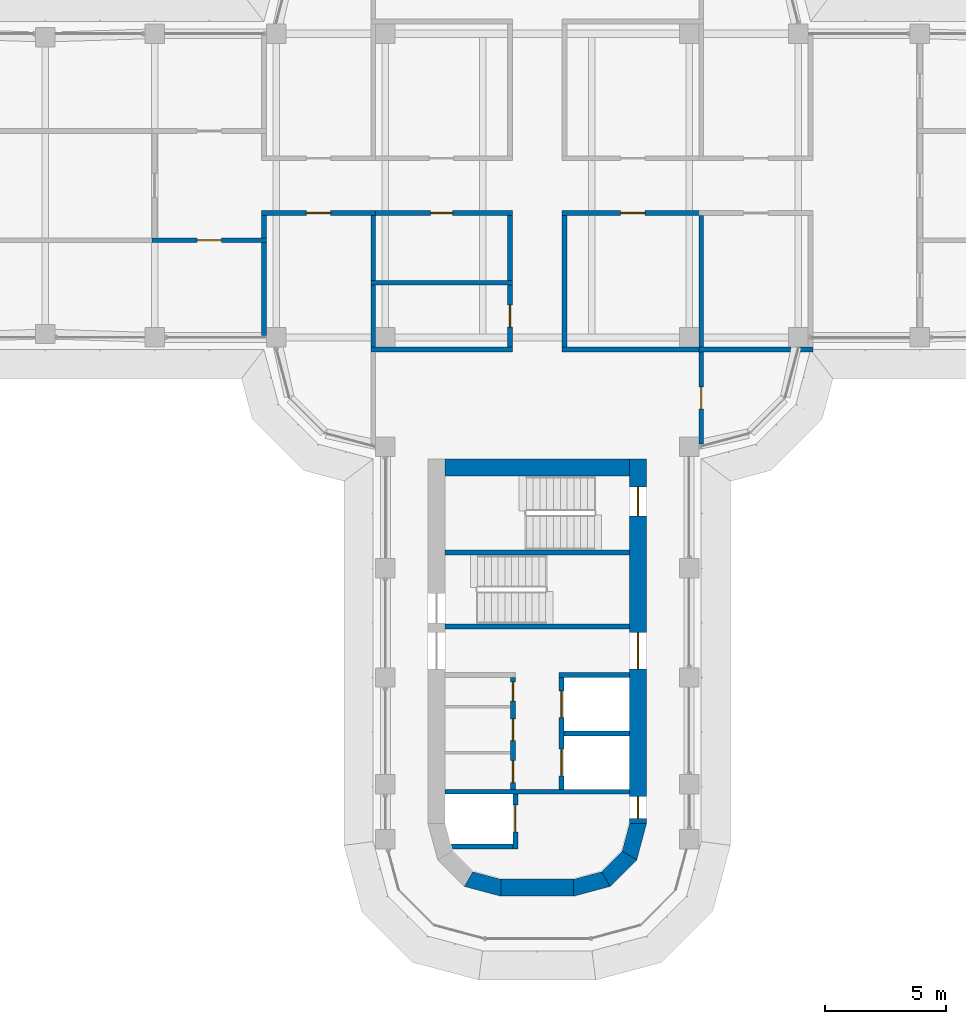
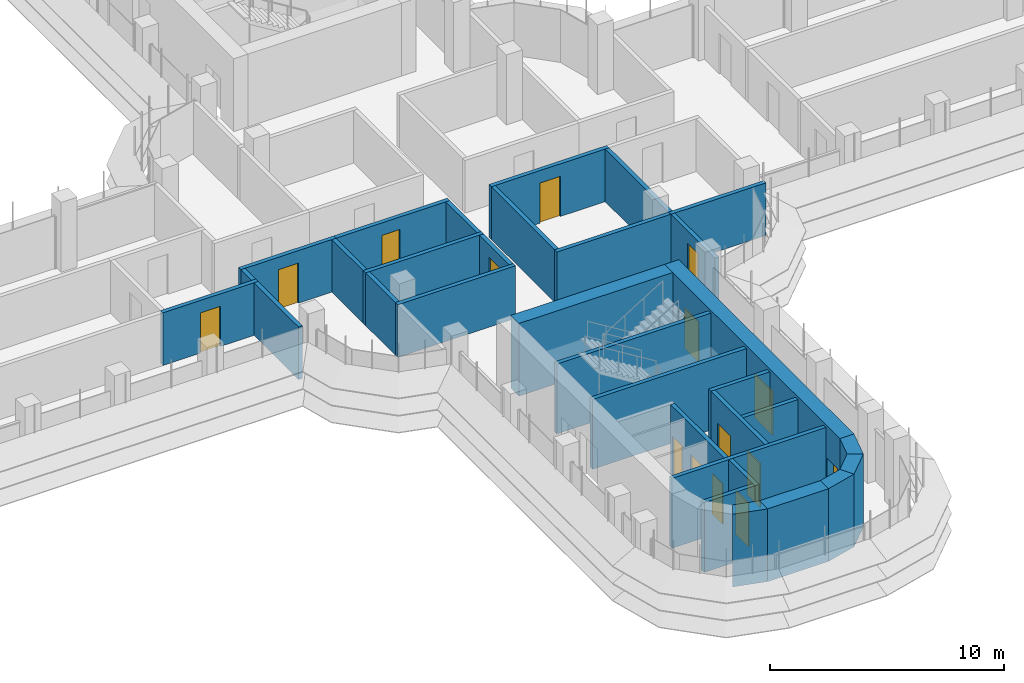
# One storey, part 13 of 19: 33 walls, 15 doors, 15 openings.
"""IFC4 building model written with IfcOpenShell, lengths in metres."""

from ifc_helpers import new_model, si_unit, direction, frame, frame_2d, origin, place, context, subcontext, project, spatial, polyline, rectangle, outline, extrude, material, layer, layer_set, type_object, element, fill, save


model = new_model("IFC4")

# Units and contexts
model_context = context("Model", 3, precision=1e-05, world=origin(), true_north=direction((0.0, 1.0)))
body_context = subcontext(model_context, "Body", "Model", "MODEL_VIEW")
ifc_project = project(units=[si_unit("LENGTHUNIT", "METRE"), si_unit("AREAUNIT", "SQUARE_METRE"), si_unit("VOLUMEUNIT", "CUBIC_METRE"), si_unit("PLANEANGLEUNIT", "RADIAN"), si_unit("MASSUNIT", "GRAM", prefix="KILO")], contexts=[model_context])

# Site, building, storey
site_placement = place(None, origin())
site = spatial("IfcSite", under=ifc_project, at=site_placement, CompositionType="ELEMENT")
building_placement = place(site_placement, origin())
building = spatial("IfcBuilding", under=site, at=building_placement, Name="Zarbagh Exchange Tower", CompositionType="ELEMENT")
storey_placement = place(building_placement, frame((0.0, 0.0, 175.199951171875)))
storey = spatial("IfcBuildingStorey", under=building, at=storey_placement, Name="L42", CompositionType="ELEMENT", Elevation=175.199951171875)

# Wall, opening, door
ifc_material_1 = material(Name="Fire-rated plasterboard partition")
ifc_layer_1 = layer(ifc_material_1, 0.199951171875)
ifc_layer_set_1 = layer_set([ifc_layer_1], Name="RATED PARTITION 200")
wall_type_1 = type_object("IfcWallType", Name="RATED PARTITION 200", PredefinedType="PARTITIONING", material=ifc_layer_set_1)
wall_1_placement = place(storey_placement, frame((6.85009765625, -1.125, 0.0), z_axis=(0.0, 0.0, 1.0), x_axis=(-1.0, 0.0, 0.0)))
wall_1 = element("IfcWall", 1, at=wall_1_placement, inside=storey, type_object=wall_type_1, Name="Partition W-1805", PredefinedType="PARTITIONING", context=body_context, shape_type="SweptSolid", body=[
    extrude(rectangle(XDim=5.8251953125, YDim=0.199951171875, at=frame_2d((2.91259765625, 0.0))), origin(), (0.0, 0.0, 1.0), 2.75),
])
opening_1_placement = place(wall_1_placement, frame((2.41259765625, 0.0, 0.0)))
opening_1 = element("IfcOpeningElement", 2, at=opening_1_placement, cuts=wall_1, Name="Opening D-1808", PredefinedType="OPENING", context=body_context, shape_type="SweptSolid", body=[
    extrude(rectangle(XDim=1.0, YDim=2.10009765625, at=frame_2d((0.5, 1.050048828125))), frame((0.0, 0.10986328125, 0.0), z_axis=(0.0, -1.0, 0.0), x_axis=(1.0, 0.0, 0.0)), (0.0, 0.0, 1.0), 0.219970703125),
])
ifc_material_2 = material(Name="Steel door set", Category="steel")
door_type_1 = type_object("IfcDoorType", Name="FIRE DOOR 1000 X 2100 FD30S", OperationType="NOTDEFINED", PredefinedType="DOOR", material=ifc_material_2)
door_1_placement = place(opening_1_placement, origin())
door_1 = element("IfcDoor", 3, at=door_1_placement, inside=storey, type_object=door_type_1, Name="Door D-1808", OperationType="SINGLE_SWING_RIGHT", OverallHeight=2.10009765625, OverallWidth=1.0, PredefinedType="DOOR", context=body_context, shape_type="SweptSolid", body=[
    extrude(rectangle(XDim=1.0, YDim=2.10009765625, at=frame_2d((0.5, 1.050048828125))), frame((0.0, 0.02490234375, 0.0), z_axis=(0.0, -1.0, 0.0), x_axis=(1.0, 0.0, 0.0)), (0.0, 0.0, 1.0), 0.050048828125),
])
fill(opening_1, door_1)

wall_2_placement = place(storey_placement, frame((-1.02490234375, -1.125, 0.0), z_axis=(0.0, 0.0, 1.0), x_axis=(-1.0, 0.0, 0.0)))
wall_2 = element("IfcWall", 4, at=wall_2_placement, inside=storey, type_object=wall_type_1, Name="Partition W-1807", PredefinedType="PARTITIONING", context=body_context, shape_type="SweptSolid", body=[
    extrude(rectangle(XDim=5.8251953125, YDim=0.199951171875, at=frame_2d((2.91259765625, 0.0))), origin(), (0.0, 0.0, 1.0), 2.75),
])
opening_2_placement = place(wall_2_placement, frame((2.46240234375, 0.0, 0.0)))
opening_2 = element("IfcOpeningElement", 5, at=opening_2_placement, cuts=wall_2, Name="Opening D-1811", PredefinedType="OPENING", context=body_context, shape_type="SweptSolid", body=[
    extrude(rectangle(XDim=0.89990234375, YDim=2.10009765625, at=frame_2d((0.449951171875, 1.050048828125))), frame((0.0, 0.10986328125, 0.0), z_axis=(0.0, -1.0, 0.0), x_axis=(1.0, 0.0, 0.0)), (0.0, 0.0, 1.0), 0.219970703125),
])
ifc_material_3 = material(Name="Timber door leaf", Category="wood")
door_type_2 = type_object("IfcDoorType", Name="DOOR 900 X 2100", OperationType="NOTDEFINED", PredefinedType="DOOR", material=ifc_material_3)
door_2_placement = place(opening_2_placement, origin())
door_2 = element("IfcDoor", 6, at=door_2_placement, inside=storey, type_object=door_type_2, Name="Door D-1811", OperationType="SINGLE_SWING_RIGHT", OverallHeight=2.10009765625, OverallWidth=0.89990234375, PredefinedType="DOOR", context=body_context, shape_type="SweptSolid", body=[
    extrude(rectangle(XDim=0.89990234375, YDim=2.10009765625, at=frame_2d((0.449951171875, 1.050048828125))), frame((0.0, 0.02490234375, 0.0), z_axis=(0.0, -1.0, 0.0), x_axis=(1.0, 0.0, 0.0)), (0.0, 0.0, 1.0), 0.050048828125),
])
fill(opening_2, door_2)

wall_3_placement = place(storey_placement, frame((-6.64990234375, -1.125, 0.0), z_axis=(0.0, 0.0, 1.0), x_axis=(-1.0, 0.0, 0.0)))
wall_3 = element("IfcWall", 7, at=wall_3_placement, inside=storey, type_object=wall_type_1, Name="Partition W-1808", PredefinedType="PARTITIONING", context=body_context, shape_type="SweptSolid", body=[
    extrude(rectangle(XDim=4.7001953125, YDim=0.199951171875, at=frame_2d((2.35009765625, 0.0))), origin(), (0.0, 0.0, 1.0), 2.75),
])
opening_3_placement = place(wall_3_placement, frame((1.85009765625, 0.0, 0.0)))
opening_3 = element("IfcOpeningElement", 8, at=opening_3_placement, cuts=wall_3, Name="Opening D-1813", PredefinedType="OPENING", context=body_context, shape_type="SweptSolid", body=[
    extrude(rectangle(XDim=1.0, YDim=2.10009765625, at=frame_2d((0.5, 1.050048828125))), frame((0.0, 0.10986328125, 0.0), z_axis=(0.0, -1.0, 0.0), x_axis=(1.0, 0.0, 0.0)), (0.0, 0.0, 1.0), 0.219970703125),
])
door_3_placement = place(opening_3_placement, origin())
door_3 = element("IfcDoor", 9, at=door_3_placement, inside=storey, type_object=door_type_1, Name="Door D-1813", OperationType="SINGLE_SWING_RIGHT", OverallHeight=2.10009765625, OverallWidth=1.0, PredefinedType="DOOR", context=body_context, shape_type="SweptSolid", body=[
    extrude(rectangle(XDim=1.0, YDim=2.10009765625, at=frame_2d((0.5, 1.050048828125))), frame((0.0, 0.02490234375, 0.0), z_axis=(0.0, -1.0, 0.0), x_axis=(1.0, 0.0, 0.0)), (0.0, 0.0, 1.0), 0.050048828125),
])
fill(opening_3, door_3)

# Walls
wall_4_placement = place(storey_placement, frame((1.125, -6.64990234375, 0.0), z_axis=(0.0, 0.0, 1.0), x_axis=(0.0, 1.0, 0.0)))
element("IfcWall", 10, at=wall_4_placement, inside=storey, type_object=wall_type_1, Name="Partition W-1811", PredefinedType="PARTITIONING", context=body_context, shape_type="SweptSolid", body=[
    extrude(rectangle(XDim=5.4248046875, YDim=0.199951171875, at=frame_2d((2.71240234375, 0.0))), origin(), (0.0, 0.0, 1.0), 2.75),
])
wall_5_placement = place(storey_placement, frame((-1.125, -3.89990234375, 0.0), z_axis=(0.0, 0.0, 1.0), x_axis=(0.0, 1.0, 0.0)))
element("IfcWall", 11, at=wall_5_placement, inside=storey, type_object=wall_type_1, Name="Partition W-1812", PredefinedType="PARTITIONING", context=body_context, shape_type="SweptSolid", body=[
    extrude(rectangle(XDim=2.6748046875, YDim=0.199951171875, at=frame_2d((1.33740234375, 0.0))), origin(), (0.0, 0.0, 1.0), 2.75),
])

# Wall, opening, door
wall_6_placement = place(storey_placement, frame((-1.125, -6.64990234375, 0.0), z_axis=(0.0, 0.0, 1.0), x_axis=(0.0, 1.0, 0.0)))
wall_6 = element("IfcWall", 12, at=wall_6_placement, inside=storey, type_object=wall_type_1, Name="Partition W-1813", PredefinedType="PARTITIONING", context=body_context, shape_type="SweptSolid", body=[
    extrude(rectangle(XDim=2.5498046875, YDim=0.199951171875, at=frame_2d((1.27490234375, 0.0))), origin(), (0.0, 0.0, 1.0), 2.75),
])
opening_4_placement = place(wall_6_placement, frame((0.824951171875, 0.0, 0.0)))
opening_4 = element("IfcOpeningElement", 13, at=opening_4_placement, cuts=wall_6, Name="Opening D-1812", PredefinedType="OPENING", context=body_context, shape_type="SweptSolid", body=[
    extrude(rectangle(XDim=0.89990234375, YDim=2.10009765625, at=frame_2d((0.449951171875, 1.050048828125))), frame((0.0, 0.10986328125, 0.0), z_axis=(0.0, -1.0, 0.0), x_axis=(1.0, 0.0, 0.0)), (0.0, 0.0, 1.0), 0.219970703125),
])
door_4_placement = place(opening_4_placement, origin())
door_4 = element("IfcDoor", 14, at=door_4_placement, inside=storey, type_object=door_type_2, Name="Door D-1812", OperationType="SINGLE_SWING_RIGHT", OverallHeight=2.10009765625, OverallWidth=0.89990234375, PredefinedType="DOOR", context=body_context, shape_type="SweptSolid", body=[
    extrude(rectangle(XDim=0.89990234375, YDim=2.10009765625, at=frame_2d((0.449951171875, 1.050048828125))), frame((0.0, 0.02490234375, 0.0), z_axis=(0.0, -1.0, 0.0), x_axis=(1.0, 0.0, 0.0)), (0.0, 0.0, 1.0), 0.050048828125),
])
fill(opening_4, door_4)

# Wall
wall_7_placement = place(storey_placement, frame((1.02490234375, -6.75, 0.0), z_axis=(0.0, 0.0, 1.0), x_axis=(1.0, 0.0, 0.0)))
element("IfcWall", 15, at=wall_7_placement, inside=storey, type_object=wall_type_1, Name="Partition W-1818", PredefinedType="PARTITIONING", context=body_context, shape_type="SweptSolid", body=[
    extrude(rectangle(XDim=5.8251953125, YDim=0.199951171875, at=frame_2d((2.91259765625, 0.0))), origin(), (0.0, 0.0, 1.0), 2.75),
])

# Wall, opening, door
wall_8_placement = place(storey_placement, frame((6.75, -6.85009765625, 0.0), z_axis=(0.0, 0.0, 1.0), x_axis=(0.0, -1.0, 0.0)))
wall_8 = element("IfcWall", 16, at=wall_8_placement, inside=storey, type_object=wall_type_1, Name="Partition W-1819", PredefinedType="PARTITIONING", context=body_context, shape_type="SweptSolid", body=[
    extrude(rectangle(XDim=3.77978515625, YDim=0.199951171875, at=frame_2d((1.889892578125, 0.0))), origin(), (0.0, 0.0, 1.0), 2.75),
])
opening_5_placement = place(wall_8_placement, frame((1.43994140625, 0.0, 0.0)))
opening_5 = element("IfcOpeningElement", 17, at=opening_5_placement, cuts=wall_8, Name="Opening D-1810", PredefinedType="OPENING", context=body_context, shape_type="SweptSolid", body=[
    extrude(rectangle(XDim=0.89990234375, YDim=2.10009765625, at=frame_2d((0.449951171875, 1.050048828125))), frame((0.0, 0.10986328125, 0.0), z_axis=(0.0, -1.0, 0.0), x_axis=(1.0, 0.0, 0.0)), (0.0, 0.0, 1.0), 0.219970703125),
])
door_5_placement = place(opening_5_placement, origin())
door_5 = element("IfcDoor", 18, at=door_5_placement, inside=storey, type_object=door_type_2, Name="Door D-1810", OperationType="SINGLE_SWING_LEFT", OverallHeight=2.10009765625, OverallWidth=0.89990234375, PredefinedType="DOOR", context=body_context, shape_type="SweptSolid", body=[
    extrude(rectangle(XDim=0.89990234375, YDim=2.10009765625, at=frame_2d((0.449951171875, 1.050048828125))), frame((0.0, 0.02490234375, 0.0), z_axis=(0.0, -1.0, 0.0), x_axis=(1.0, 0.0, 0.0)), (0.0, 0.0, 1.0), 0.050048828125),
])
fill(opening_5, door_5)

# Walls
wall_9_placement = place(storey_placement, frame((-6.85009765625, -6.75, 0.0), z_axis=(0.0, 0.0, 1.0), x_axis=(1.0, 0.0, 0.0)))
element("IfcWall", 19, at=wall_9_placement, inside=storey, type_object=wall_type_1, Name="Partition W-1820", PredefinedType="PARTITIONING", context=body_context, shape_type="SweptSolid", body=[
    extrude(rectangle(XDim=5.8251953125, YDim=0.199951171875, at=frame_2d((2.91259765625, 0.0))), origin(), (0.0, 0.0, 1.0), 2.75),
])
wall_10_placement = place(storey_placement, frame((6.75, -6.64990234375, 0.0), z_axis=(0.0, 0.0, 1.0), x_axis=(0.0, 1.0, 0.0)))
element("IfcWall", 20, at=wall_10_placement, inside=storey, type_object=wall_type_1, Name="Partition W-1827", PredefinedType="PARTITIONING", context=body_context, shape_type="SweptSolid", body=[
    extrude(rectangle(XDim=5.4248046875, YDim=0.199951171875, at=frame_2d((2.71240234375, 0.0))), origin(), (0.0, 0.0, 1.0), 2.75),
])
wall_11_placement = place(storey_placement, frame((6.64990234375, -6.75, 0.0), z_axis=(0.0, 0.0, 1.0), x_axis=(1.0, 0.0, 0.0)))
element("IfcWall", 21, at=wall_11_placement, inside=storey, type_object=wall_type_1, Name="Partition W-1828", PredefinedType="PARTITIONING", context=body_context, shape_type="SweptSolid", body=[
    extrude(rectangle(XDim=4.7001953125, YDim=0.199951171875, at=frame_2d((2.35009765625, 0.0))), origin(), (0.0, 0.0, 1.0), 2.75),
])
wall_12_placement = place(storey_placement, frame((-6.85009765625, -4.0, 0.0), z_axis=(0.0, 0.0, 1.0), x_axis=(1.0, 0.0, 0.0)))
element("IfcWall", 22, at=wall_12_placement, inside=storey, type_object=wall_type_1, Name="Partition W-1830", PredefinedType="PARTITIONING", context=body_context, shape_type="SweptSolid", body=[
    extrude(rectangle(XDim=5.8251953125, YDim=0.199951171875, at=frame_2d((2.91259765625, 0.0))), origin(), (0.0, 0.0, 1.0), 2.75),
])
wall_13_placement = place(storey_placement, frame((-6.75, -3.89990234375, 0.0), z_axis=(0.0, 0.0, 1.0), x_axis=(0.0, 1.0, 0.0)))
element("IfcWall", 23, at=wall_13_placement, inside=storey, type_object=wall_type_1, Name="Partition W-1831", PredefinedType="PARTITIONING", context=body_context, shape_type="SweptSolid", body=[
    extrude(rectangle(XDim=2.6748046875, YDim=0.199951171875, at=frame_2d((1.33740234375, 0.0))), origin(), (0.0, 0.0, 1.0), 2.75),
])
wall_14_placement = place(storey_placement, frame((-6.75, -6.64990234375, 0.0), z_axis=(0.0, 0.0, 1.0), x_axis=(0.0, 1.0, 0.0)))
element("IfcWall", 24, at=wall_14_placement, inside=storey, type_object=wall_type_1, Name="Partition W-1832", PredefinedType="PARTITIONING", context=body_context, shape_type="SweptSolid", body=[
    extrude(rectangle(XDim=2.5498046875, YDim=0.199951171875, at=frame_2d((1.27490234375, 0.0))), origin(), (0.0, 0.0, 1.0), 2.75),
])
wall_15_placement = place(storey_placement, frame((-11.25, -2.14990234375, 0.0), z_axis=(0.0, 0.0, 1.0), x_axis=(0.0, 1.0, 0.0)))
element("IfcWall", 25, at=wall_15_placement, inside=storey, type_object=wall_type_1, Name="Partition W-1833", PredefinedType="PARTITIONING", context=body_context, shape_type="SweptSolid", body=[
    extrude(rectangle(XDim=0.9248046875, YDim=0.199951171875, at=frame_2d((0.46240234375, 0.0))), origin(), (0.0, 0.0, 1.0), 2.75),
])
wall_16_placement = place(storey_placement, frame((-11.25, -6.169921875, 0.0), z_axis=(0.0, 0.0, 1.0), x_axis=(0.0, 1.0, 0.0)))
element("IfcWall", 26, at=wall_16_placement, inside=storey, type_object=wall_type_1, Name="Partition W-1834", PredefinedType="PARTITIONING", context=body_context, shape_type="SweptSolid", body=[
    extrude(rectangle(XDim=3.81982421875, YDim=0.199951171875, at=frame_2d((1.909912109375, 0.0))), origin(), (0.0, 0.0, 1.0), 2.75),
])

# Wall, opening, door
wall_17_placement = place(storey_placement, frame((-11.14990234375, -2.25, 0.0), z_axis=(0.0, 0.0, 1.0), x_axis=(-1.0, 0.0, 0.0)))
wall_17 = element("IfcWall", 27, at=wall_17_placement, inside=storey, type_object=wall_type_1, Name="Partition W-1843", PredefinedType="PARTITIONING", context=body_context, shape_type="SweptSolid", body=[
    extrude(rectangle(XDim=4.7001953125, YDim=0.199951171875, at=frame_2d((2.35009765625, 0.0))), origin(), (0.0, 0.0, 1.0), 2.75),
])
opening_6_placement = place(wall_17_placement, frame((1.85009765625, 0.0, 0.0)))
opening_6 = element("IfcOpeningElement", 28, at=opening_6_placement, cuts=wall_17, Name="Opening D-1816", PredefinedType="OPENING", context=body_context, shape_type="SweptSolid", body=[
    extrude(rectangle(XDim=1.0, YDim=2.10009765625, at=frame_2d((0.5, 1.050048828125))), frame((0.0, 0.10986328125, 0.0), z_axis=(0.0, -1.0, 0.0), x_axis=(1.0, 0.0, 0.0)), (0.0, 0.0, 1.0), 0.219970703125),
])
door_6_placement = place(opening_6_placement, origin())
door_6 = element("IfcDoor", 29, at=door_6_placement, inside=storey, type_object=door_type_1, Name="Door D-1816", OperationType="SINGLE_SWING_RIGHT", OverallHeight=2.10009765625, OverallWidth=1.0, PredefinedType="DOOR", context=body_context, shape_type="SweptSolid", body=[
    extrude(rectangle(XDim=1.0, YDim=2.10009765625, at=frame_2d((0.5, 1.050048828125))), frame((0.0, 0.02490234375, 0.0), z_axis=(0.0, -1.0, 0.0), x_axis=(1.0, 0.0, 0.0)), (0.0, 0.0, 1.0), 0.050048828125),
])
fill(opening_6, door_6)

# Walls
ifc_material_4 = material(Name="Concrete C50/60", Category="concrete")
ifc_layer_2 = layer(ifc_material_4, 0.699951171875)
ifc_layer_set_2 = layer_set([ifc_layer_2], Name="RC core corner wall 700 C50/60")
wall_type_2 = type_object("IfcWallType", Name="RC core corner wall 700 C50/60", PredefinedType="SHEAR", material=ifc_layer_set_2)
wall_18_placement = place(storey_placement, origin())
element("IfcWall", 30, at=wall_18_placement, inside=storey, type_object=wall_type_2, Name="CW6 core S corner W", PredefinedType="SHEAR", context=body_context, shape_type="SweptSolid", body=[
    extrude(outline(polyline([(-3.0, -28.84814453125), (-1.5, -29.25), (-1.5, -28.550048828125), (-2.64990234375, -28.241943359375), (-3.0, -28.84814453125)])), origin(), (0.0, 0.0, 1.0), 3.800048828125),
])
wall_19_placement = place(storey_placement, origin())
element("IfcWall", 31, at=wall_19_placement, inside=storey, type_object=wall_type_2, Name="CW6 core S corner E", PredefinedType="SHEAR", context=body_context, shape_type="SweptSolid", body=[
    extrude(outline(polyline([(4.5, -26.25), (4.09814453125, -27.75), (3.491943359375, -27.39990234375), (3.800048828125, -26.25), (4.5, -26.25)])), origin(), (0.0, 0.0, 1.0), 3.800048828125),
])
wall_20_placement = place(storey_placement, origin())
element("IfcWall", 32, at=wall_20_placement, inside=storey, type_object=wall_type_2, Name="CW6 core S corner E", PredefinedType="SHEAR", context=body_context, shape_type="SweptSolid", body=[
    extrude(outline(polyline([(4.09814453125, -27.75), (3.0, -28.84814453125), (2.64990234375, -28.241943359375), (3.491943359375, -27.39990234375), (4.09814453125, -27.75)])), origin(), (0.0, 0.0, 1.0), 3.800048828125),
])
wall_21_placement = place(storey_placement, origin())
element("IfcWall", 33, at=wall_21_placement, inside=storey, type_object=wall_type_2, Name="CW6 core S corner E", PredefinedType="SHEAR", context=body_context, shape_type="SweptSolid", body=[
    extrude(outline(polyline([(3.0, -28.84814453125), (1.5, -29.25), (1.5, -28.550048828125), (2.64990234375, -28.241943359375), (3.0, -28.84814453125)])), origin(), (0.0, 0.0, 1.0), 3.800048828125),
])

# Wall, openings, doors
ifc_layer_3 = layer(ifc_material_4, 0.699951171875)
ifc_layer_set_3 = layer_set([ifc_layer_3], Name="RC core wall 700 C50/60")
wall_type_3 = type_object("IfcWallType", Name="RC core wall 700 C50/60", PredefinedType="SHEAR", material=ifc_layer_set_3)
wall_22_placement = place(storey_placement, frame((4.14990234375, -11.25, 0.0), z_axis=(0.0, 0.0, 1.0), x_axis=(0.0, -1.0, 0.0)))
wall_22 = element("IfcWall", 34, at=wall_22_placement, inside=storey, type_object=wall_type_3, Name="CW5 core S E", PredefinedType="SHEAR", context=body_context, shape_type="SweptSolid", body=[
    extrude(rectangle(XDim=15.0, YDim=0.699951171875, at=frame_2d((7.5, 0.0))), origin(), (0.0, 0.0, 1.0), 3.800048828125),
])
opening_7_placement = place(wall_22_placement, frame((7.14990234375, 0.0, 0.0)))
opening_7 = element("IfcOpeningElement", 35, at=opening_7_placement, cuts=wall_22, Name="Opening CD1-1500", PredefinedType="OPENING", context=body_context, shape_type="SweptSolid", body=[
    extrude(rectangle(XDim=1.5, YDim=2.300048828125, at=frame_2d((0.75, 1.14990234375))), frame((0.0, 0.35986328125, 0.0), z_axis=(0.0, -1.0, 0.0), x_axis=(1.0, 0.0, 0.0)), (0.0, 0.0, 1.0), 0.719970703125),
])
opening_8_placement = place(wall_22_placement, frame((13.89990234375, 0.0, 0.0)))
opening_8 = element("IfcOpeningElement", 36, at=opening_8_placement, cuts=wall_22, Name="Opening CD2-900", PredefinedType="OPENING", context=body_context, shape_type="SweptSolid", body=[
    extrude(rectangle(XDim=0.89990234375, YDim=2.10009765625, at=frame_2d((0.449951171875, 1.050048828125))), frame((0.0, 0.35986328125, 0.0), z_axis=(0.0, -1.0, 0.0), x_axis=(1.0, 0.0, 0.0)), (0.0, 0.0, 1.0), 0.719970703125),
])
opening_9_placement = place(wall_22_placement, frame((1.14990234375, 0.0, 0.0)))
opening_9 = element("IfcOpeningElement", 37, at=opening_9_placement, cuts=wall_22, Name="Opening SD1-1200", PredefinedType="OPENING", context=body_context, shape_type="SweptSolid", body=[
    extrude(rectangle(XDim=1.199951171875, YDim=2.10009765625, at=frame_2d((0.60009765625, 1.050048828125))), frame((0.0, 0.35986328125, 0.0), z_axis=(0.0, -1.0, 0.0), x_axis=(1.0, 0.0, 0.0)), (0.0, 0.0, 1.0), 0.719970703125),
])
ifc_material_5 = material(Name="Steel", Category="steel")
door_type_3 = type_object("IfcDoorType", Name="Exit stair door 1200 x 2100", OperationType="NOTDEFINED", PredefinedType="DOOR", material=ifc_material_5)
door_7_placement = place(opening_9_placement, origin())
door_7 = element("IfcDoor", 38, at=door_7_placement, inside=storey, type_object=door_type_3, Name="South core stair door ST2", OperationType="SINGLE_SWING_RIGHT", OverallHeight=2.10009765625, OverallWidth=1.199951171875, PredefinedType="DOOR", context=body_context, shape_type="SweptSolid", body=[
    extrude(rectangle(XDim=1.199951171875, YDim=2.10009765625, at=frame_2d((0.60009765625, 1.050048828125))), frame((0.0, 0.02490234375, 0.0), z_axis=(0.0, -1.0, 0.0), x_axis=(1.0, 0.0, 0.0)), (0.0, 0.0, 1.0), 0.050048828125),
])
fill(opening_9, door_7)
door_type_4 = type_object("IfcDoorType", Name="Firefighting lobby door 900 x 2100", OperationType="NOTDEFINED", PredefinedType="DOOR", material=ifc_material_5)
door_8_placement = place(opening_8_placement, origin())
door_8 = element("IfcDoor", 39, at=door_8_placement, inside=storey, type_object=door_type_4, Name="South core firefighting lobby door FF-W", OperationType="SINGLE_SWING_LEFT", OverallHeight=2.10009765625, OverallWidth=0.89990234375, PredefinedType="DOOR", context=body_context, shape_type="SweptSolid", body=[
    extrude(rectangle(XDim=0.89990234375, YDim=2.10009765625, at=frame_2d((0.449951171875, 1.050048828125))), frame((0.0, 0.02490234375, 0.0), z_axis=(0.0, -1.0, 0.0), x_axis=(1.0, 0.0, 0.0)), (0.0, 0.0, 1.0), 0.050048828125),
])
fill(opening_8, door_8)
door_type_5 = type_object("IfcDoorType", Name="Lift lobby double door 1500 x 2300", OperationType="NOTDEFINED", PredefinedType="DOOR", material=ifc_material_5)
door_9_placement = place(opening_7_placement, origin())
door_9 = element("IfcDoor", 40, at=door_9_placement, inside=storey, type_object=door_type_5, Name="South core lift lobby door LOBBY-W", OperationType="DOUBLE_DOOR_SINGLE_SWING", OverallHeight=2.300048828125, OverallWidth=1.5, PredefinedType="DOOR", context=body_context, shape_type="SweptSolid", body=[
    extrude(rectangle(XDim=1.5, YDim=2.300048828125, at=frame_2d((0.75, 1.14990234375))), frame((0.0, 0.02490234375, 0.0), z_axis=(0.0, -1.0, 0.0), x_axis=(1.0, 0.0, 0.0)), (0.0, 0.0, 1.0), 0.050048828125),
])
fill(opening_7, door_9)

# Walls
wall_23_placement = place(storey_placement, frame((-3.800048828125, -11.60009765625, 0.0), z_axis=(0.0, 0.0, 1.0), x_axis=(1.0, 0.0, 0.0)))
element("IfcWall", 41, at=wall_23_placement, inside=storey, type_object=wall_type_3, Name="CW5 core S inner end", PredefinedType="SHEAR", context=body_context, shape_type="SweptSolid", body=[
    extrude(rectangle(XDim=7.60009765625, YDim=0.699951171875, at=frame_2d((3.800048828125, 0.0))), origin(), (0.0, 0.0, 1.0), 3.800048828125),
])
wall_24_placement = place(storey_placement, frame((-1.5, -28.89990234375, 0.0), z_axis=(0.0, 0.0, 1.0), x_axis=(1.0, 0.0, 0.0)))
element("IfcWall", 42, at=wall_24_placement, inside=storey, type_object=wall_type_3, Name="CW5 core S outer end", PredefinedType="SHEAR", context=body_context, shape_type="SweptSolid", body=[
    extrude(rectangle(XDim=3.0, YDim=0.699951171875, at=frame_2d((1.5, 0.0))), origin(), (0.0, 0.0, 1.0), 3.800048828125),
])
ifc_material_6 = material(Name="Dense blockwork", Category="masonry")
ifc_layer_4 = layer(ifc_material_6, 0.199951171875)
ifc_layer_set_4 = layer_set([ifc_layer_4], Name="Shaft wall 200 mm blockwork")
wall_type_4 = type_object("IfcWallType", Name="Shaft wall 200 mm blockwork", PredefinedType="PARTITIONING", material=ifc_layer_set_4)
wall_25_placement = place(storey_placement, frame((3.800048828125, -20.14990234375, 0.0), z_axis=(0.0, 0.0, 1.0), x_axis=(-1.0, 0.0, 0.0)))
element("IfcWall", 43, at=wall_25_placement, inside=storey, type_object=wall_type_4, Name="South core shaft wall AB-W", PredefinedType="PARTITIONING", context=body_context, shape_type="SweptSolid", body=[
    extrude(rectangle(XDim=2.900146484375, YDim=0.199951171875, at=frame_2d((1.4501953125, 0.0))), origin(), (0.0, 0.0, 1.0), 3.650146484375),
])

# Wall, openings, doors
wall_26_placement = place(storey_placement, frame((1.0, -24.85009765625, 0.0), z_axis=(0.0, 0.0, 1.0), x_axis=(0.0, 1.0, 0.0)))
wall_26 = element("IfcWall", 44, at=wall_26_placement, inside=storey, type_object=wall_type_4, Name="South core shaft wall LW-W", PredefinedType="PARTITIONING", context=body_context, shape_type="SweptSolid", body=[
    extrude(rectangle(XDim=4.60009765625, YDim=0.199951171875, at=frame_2d((2.300048828125, 0.0))), origin(), (0.0, 0.0, 1.0), 3.650146484375),
])
opening_10_placement = place(wall_26_placement, frame((0.550048828125, 0.0, 0.0)))
opening_10 = element("IfcOpeningElement", 45, at=opening_10_placement, cuts=wall_26, Name="Opening LD-1100", PredefinedType="OPENING", context=body_context, shape_type="SweptSolid", body=[
    extrude(rectangle(XDim=1.10009765625, YDim=2.300048828125, at=frame_2d((0.550048828125, 1.14990234375))), frame((0.0, 0.10986328125, 0.0), z_axis=(0.0, -1.0, 0.0), x_axis=(1.0, 0.0, 0.0)), (0.0, 0.0, 1.0), 0.219970703125),
])
opening_11_placement = place(wall_26_placement, frame((2.949951171875, 0.0, 0.0)))
opening_11 = element("IfcOpeningElement", 46, at=opening_11_placement, cuts=wall_26, Name="Opening LD-1100", PredefinedType="OPENING", context=body_context, shape_type="SweptSolid", body=[
    extrude(rectangle(XDim=1.10009765625, YDim=2.300048828125, at=frame_2d((0.550048828125, 1.14990234375))), frame((0.0, 0.10986328125, 0.0), z_axis=(0.0, -1.0, 0.0), x_axis=(1.0, 0.0, 0.0)), (0.0, 0.0, 1.0), 0.219970703125),
])
ifc_material_7 = material(Name="Stainless steel", Category="steel")
door_type_6 = type_object("IfcDoorType", Name="Lift landing door 1100 x 2300", OperationType="NOTDEFINED", PredefinedType="DOOR", material=ifc_material_7)
door_10_placement = place(opening_10_placement, origin())
door_10 = element("IfcDoor", 47, at=door_10_placement, inside=storey, type_object=door_type_6, Name="South core lift landing door LD-P-S1", OperationType="DOUBLE_DOOR_SLIDING", OverallHeight=2.300048828125, OverallWidth=1.10009765625, PredefinedType="DOOR", context=body_context, shape_type="SweptSolid", body=[
    extrude(rectangle(XDim=1.10009765625, YDim=2.300048828125, at=frame_2d((0.550048828125, 1.14990234375))), frame((0.0, 0.02490234375, 0.0), z_axis=(0.0, -1.0, 0.0), x_axis=(1.0, 0.0, 0.0)), (0.0, 0.0, 1.0), 0.050048828125),
])
fill(opening_10, door_10)
door_11_placement = place(opening_11_placement, origin())
door_11 = element("IfcDoor", 48, at=door_11_placement, inside=storey, type_object=door_type_6, Name="South core lift landing door LD-P-S2", OperationType="DOUBLE_DOOR_SLIDING", OverallHeight=2.300048828125, OverallWidth=1.10009765625, PredefinedType="DOOR", context=body_context, shape_type="SweptSolid", body=[
    extrude(rectangle(XDim=1.10009765625, YDim=2.300048828125, at=frame_2d((0.550048828125, 1.14990234375))), frame((0.0, 0.02490234375, 0.0), z_axis=(0.0, -1.0, 0.0), x_axis=(1.0, 0.0, 0.0)), (0.0, 0.0, 1.0), 0.050048828125),
])
fill(opening_11, door_11)

wall_27_placement = place(storey_placement, frame((-1.0, -24.85009765625, 0.0), z_axis=(0.0, 0.0, 1.0), x_axis=(0.0, 1.0, 0.0)))
wall_27 = element("IfcWall", 49, at=wall_27_placement, inside=storey, type_object=wall_type_4, Name="South core shaft wall LW-E", PredefinedType="PARTITIONING", context=body_context, shape_type="SweptSolid", body=[
    extrude(rectangle(XDim=4.60009765625, YDim=0.199951171875, at=frame_2d((2.300048828125, 0.0))), origin(), (0.0, 0.0, 1.0), 3.650146484375),
])
opening_12_placement = place(wall_27_placement, frame((0.27490234375, 0.0, 0.0)))
opening_12 = element("IfcOpeningElement", 50, at=opening_12_placement, cuts=wall_27, Name="Opening CD3-900", PredefinedType="OPENING", context=body_context, shape_type="SweptSolid", body=[
    extrude(rectangle(XDim=0.89990234375, YDim=2.10009765625, at=frame_2d((0.449951171875, 1.050048828125))), frame((0.0, 0.10986328125, 0.0), z_axis=(0.0, -1.0, 0.0), x_axis=(1.0, 0.0, 0.0)), (0.0, 0.0, 1.0), 0.219970703125),
])
opening_13_placement = place(wall_27_placement, frame((2.0, 0.0, 0.0)))
opening_13 = element("IfcOpeningElement", 51, at=opening_13_placement, cuts=wall_27, Name="Opening CD3-900", PredefinedType="OPENING", context=body_context, shape_type="SweptSolid", body=[
    extrude(rectangle(XDim=0.89990234375, YDim=2.10009765625, at=frame_2d((0.449951171875, 1.050048828125))), frame((0.0, 0.10986328125, 0.0), z_axis=(0.0, -1.0, 0.0), x_axis=(1.0, 0.0, 0.0)), (0.0, 0.0, 1.0), 0.219970703125),
])
opening_14_placement = place(wall_27_placement, frame((3.625, 0.0, 0.0)))
opening_14 = element("IfcOpeningElement", 52, at=opening_14_placement, cuts=wall_27, Name="Opening CD3-800", PredefinedType="OPENING", context=body_context, shape_type="SweptSolid", body=[
    extrude(rectangle(XDim=0.800048828125, YDim=2.10009765625, at=frame_2d((0.39990234375, 1.050048828125))), frame((0.0, 0.10986328125, 0.0), z_axis=(0.0, -1.0, 0.0), x_axis=(1.0, 0.0, 0.0)), (0.0, 0.0, 1.0), 0.219970703125),
])
door_type_7 = type_object("IfcDoorType", Name="Core room door 800 x 2100", OperationType="NOTDEFINED", PredefinedType="DOOR", material=ifc_material_5)
door_12_placement = place(opening_14_placement, origin())
door_12 = element("IfcDoor", 53, at=door_12_placement, inside=storey, type_object=door_type_7, Name="South core IT room door RD-E-2", OperationType="SINGLE_SWING_RIGHT", OverallHeight=2.10009765625, OverallWidth=0.800048828125, PredefinedType="DOOR", context=body_context, shape_type="SweptSolid", body=[
    extrude(rectangle(XDim=0.800048828125, YDim=2.10009765625, at=frame_2d((0.39990234375, 1.050048828125))), frame((0.0, 0.02490234375, 0.0), z_axis=(0.0, -1.0, 0.0), x_axis=(1.0, 0.0, 0.0)), (0.0, 0.0, 1.0), 0.050048828125),
])
fill(opening_14, door_12)
door_type_8 = type_object("IfcDoorType", Name="Core room door 900 x 2100", OperationType="NOTDEFINED", PredefinedType="DOOR", material=ifc_material_5)
door_13_placement = place(opening_12_placement, origin())
door_13 = element("IfcDoor", 54, at=door_13_placement, inside=storey, type_object=door_type_8, Name="South core Cleaner's store door RD-E-0", OperationType="SINGLE_SWING_RIGHT", OverallHeight=2.10009765625, OverallWidth=0.89990234375, PredefinedType="DOOR", context=body_context, shape_type="SweptSolid", body=[
    extrude(rectangle(XDim=0.89990234375, YDim=2.10009765625, at=frame_2d((0.449951171875, 1.050048828125))), frame((0.0, 0.02490234375, 0.0), z_axis=(0.0, -1.0, 0.0), x_axis=(1.0, 0.0, 0.0)), (0.0, 0.0, 1.0), 0.050048828125),
])
fill(opening_12, door_13)
door_14_placement = place(opening_13_placement, origin())
door_14 = element("IfcDoor", 55, at=door_14_placement, inside=storey, type_object=door_type_8, Name="South core Pantry door RD-E-1", OperationType="SINGLE_SWING_RIGHT", OverallHeight=2.10009765625, OverallWidth=0.89990234375, PredefinedType="DOOR", context=body_context, shape_type="SweptSolid", body=[
    extrude(rectangle(XDim=0.89990234375, YDim=2.10009765625, at=frame_2d((0.449951171875, 1.050048828125))), frame((0.0, 0.02490234375, 0.0), z_axis=(0.0, -1.0, 0.0), x_axis=(1.0, 0.0, 0.0)), (0.0, 0.0, 1.0), 0.050048828125),
])
fill(opening_13, door_14)

# Walls
wall_28_placement = place(storey_placement, frame((3.800048828125, -22.550048828125, 0.0), z_axis=(0.0, 0.0, 1.0), x_axis=(-1.0, 0.0, 0.0)))
element("IfcWall", 56, at=wall_28_placement, inside=storey, type_object=wall_type_4, Name="South core shaft wall TR-W", PredefinedType="PARTITIONING", context=body_context, shape_type="SweptSolid", body=[
    extrude(rectangle(XDim=2.699951171875, YDim=0.199951171875, at=frame_2d((1.35009765625, 0.0))), origin(), (0.0, 0.0, 1.0), 3.650146484375),
])
ifc_material_8 = material(Name="Concrete C40/50", Category="concrete")
ifc_layer_5 = layer(ifc_material_8, 0.199951171875)
ifc_layer_set_5 = layer_set([ifc_layer_5], Name="Stair enclosure wall 200 mm RC C40/50")
wall_type_5 = type_object("IfcWallType", Name="Stair enclosure wall 200 mm RC C40/50", PredefinedType="SHEAR", material=ifc_layer_set_5)
wall_29_placement = place(storey_placement, frame((3.800048828125, -24.949951171875, 0.0), z_axis=(0.0, 0.0, 1.0), x_axis=(-1.0, 0.0, 0.0)))
element("IfcWall", 57, at=wall_29_placement, inside=storey, type_object=wall_type_5, Name="South core lift shaft wall FFA", PredefinedType="SHEAR", context=body_context, shape_type="SweptSolid", body=[
    extrude(rectangle(XDim=7.60009765625, YDim=0.199951171875, at=frame_2d((3.800048828125, 0.0))), origin(), (0.0, 0.0, 1.0), 3.650146484375),
])

# Wall, opening, door
wall_30_placement = place(storey_placement, frame((-0.89990234375, -27.300048828125, 0.0), z_axis=(0.0, 0.0, 1.0), x_axis=(0.0, 1.0, 0.0)))
wall_30 = element("IfcWall", 58, at=wall_30_placement, inside=storey, type_object=wall_type_5, Name="South core lift shaft wall FFL", PredefinedType="SHEAR", context=body_context, shape_type="SweptSolid", body=[
    extrude(rectangle(XDim=2.25, YDim=0.199951171875, at=frame_2d((1.125, 0.0))), origin(), (0.0, 0.0, 1.0), 3.650146484375),
])
opening_15_placement = place(wall_30_placement, frame((0.699951171875, 0.0, 0.0)))
opening_15 = element("IfcOpeningElement", 59, at=opening_15_placement, cuts=wall_30, Name="Opening LD-1100", PredefinedType="OPENING", context=body_context, shape_type="SweptSolid", body=[
    extrude(rectangle(XDim=1.10009765625, YDim=2.300048828125, at=frame_2d((0.550048828125, 1.14990234375))), frame((0.0, 0.10986328125, 0.0), z_axis=(0.0, -1.0, 0.0), x_axis=(1.0, 0.0, 0.0)), (0.0, 0.0, 1.0), 0.219970703125),
])
door_15_placement = place(opening_15_placement, origin())
door_15 = element("IfcDoor", 60, at=door_15_placement, inside=storey, type_object=door_type_6, Name="South core lift landing door LD-F", OperationType="DOUBLE_DOOR_SLIDING", OverallHeight=2.300048828125, OverallWidth=1.10009765625, PredefinedType="DOOR", context=body_context, shape_type="SweptSolid", body=[
    extrude(rectangle(XDim=1.10009765625, YDim=2.300048828125, at=frame_2d((0.550048828125, 1.14990234375))), frame((0.0, 0.02490234375, 0.0), z_axis=(0.0, -1.0, 0.0), x_axis=(1.0, 0.0, 0.0)), (0.0, 0.0, 1.0), 0.050048828125),
])
fill(opening_15, door_15)

# Walls
wall_31_placement = place(storey_placement, origin())
element("IfcWall", 61, at=wall_31_placement, inside=storey, type_object=wall_type_5, Name="South core lift shaft wall FFX", PredefinedType="SHEAR", context=body_context, shape_type="SweptSolid", body=[
    extrude(outline(polyline([(-1.0, -27.10009765625), (-3.547607421875, -27.10009765625), (-3.493896484375, -27.300048828125), (-1.0, -27.300048828125), (-1.0, -27.10009765625)])), origin(), (0.0, 0.0, 1.0), 3.650146484375),
])
for number, where, z_axis, x_axis, name in (
    (62, (3.800048828125, -18.14990234375, 0.0), (0.0, 0.0, 1.0), (-1.0, 0.0, 0.0), "South core stair wall BS"),
    (63, (3.800048828125, -15.10009765625, 0.0), (0.0, 0.0, 1.0), (-1.0, 0.0, 0.0), "South core stair wall ST12"),
):
    element("IfcWall", number, at=place(storey_placement, frame(where, z_axis=z_axis, x_axis=x_axis)), inside=storey, type_object=wall_type_5, Name=name, PredefinedType="SHEAR", context=body_context, shape_type="SweptSolid", body=[
        extrude(rectangle(XDim=7.60009765625, YDim=0.199951171875, at=frame_2d((3.800048828125, 0.0))), origin(), (0.0, 0.0, 1.0), 3.650146484375),
    ])

save(model, "model.ifc")
